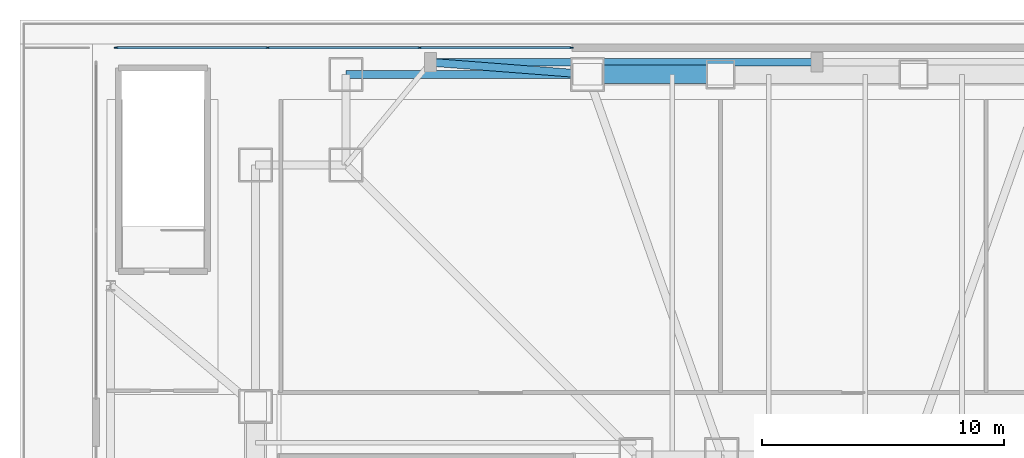
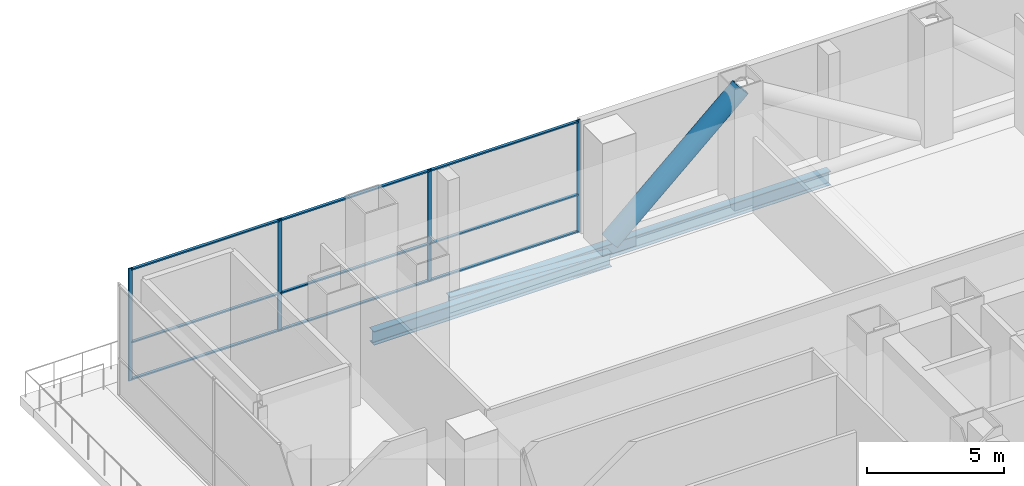
# One storey, part 8 of 21: 14 members, 3 beams, 1 element without a shape of its own.
"""IFC4 building model written with IfcOpenShell, lengths in metres."""

from ifc_helpers import new_model, si_unit, direction, frame, origin, origin_2d, place, context, subcontext, project, spatial, rectangle, hollow_circle, i_section, extrude, material, layer, layer_set, material_profile, profile_set, type_object, element, aggregate, save


model = new_model("IFC4")

# Units and contexts
model_context = context("Model", 3, precision=1e-05, world=origin(), true_north=direction((0.0, 1.0)))
body_context = subcontext(model_context, "Body", "Model", "MODEL_VIEW")
ifc_project = project(units=[si_unit("LENGTHUNIT", "METRE"), si_unit("AREAUNIT", "SQUARE_METRE"), si_unit("VOLUMEUNIT", "CUBIC_METRE"), si_unit("PLANEANGLEUNIT", "RADIAN"), si_unit("MASSUNIT", "GRAM", prefix="KILO")], contexts=[model_context])

# Site, building, storey
site_placement = place(None, origin())
site = spatial("IfcSite", under=ifc_project, at=site_placement, CompositionType="ELEMENT")
building_placement = place(site_placement, origin())
building = spatial("IfcBuilding", under=site, at=building_placement, Name="Trevonay Congress Spire", CompositionType="ELEMENT")
storey_placement = place(building_placement, frame((0.0, 0.0, 21.60009765625)))
storey = spatial("IfcBuildingStorey", under=building, at=storey_placement, Name="L04", CompositionType="ELEMENT", Elevation=21.60009765625)

# Beams
ifc_material_1 = material(Name="Steel ASTM A572 Grade 50", Category="steel")
ifc_material_profile_1 = material_profile(ifc_material_1, i_section(OverallWidth=0.324951171875, OverallDepth=0.615966796875, WebThickness=0.013916015625, FlangeThickness=0.021484375, FilletRadius=0.01806640625, at=origin_2d()), Name="W610x174")
ifc_profile_set_1 = profile_set([ifc_material_profile_1], Name="Steel ASTM A572 Grade 50")
beam_type = type_object("IfcBeamType", Name="BM-GIRD-W610X174", PredefinedType="BEAM", material=ifc_profile_set_1)
beam_1_placement = place(storey_placement, frame((-19.5, 23.25, -0.7080078125), z_axis=(1.0, 0.0, 0.0), x_axis=(0.0, 1.0, 0.0)))
element("IfcBeam", 1, at=beam_1_placement, inside=storey, type_object=beam_type, Name="L04 structural beam BM-L04-MN1", PredefinedType="BEAM", context=body_context, shape_type="SweptSolid", body=[
    extrude(i_section(OverallWidth=0.324951171875, OverallDepth=0.615966796875, WebThickness=0.013916015625, FlangeThickness=0.021484375, FilletRadius=0.01806640625, at=origin_2d()), origin(), (0.0, 0.0, 1.0), 10.0),
])
beam_2_placement = place(storey_placement, frame((-16.0, 23.75, -0.7080078125), z_axis=(1.0, 0.0, 0.0), x_axis=(0.0, 1.0, 0.0)))
element("IfcBeam", 2, at=beam_2_placement, inside=storey, type_object=beam_type, Name="L04 structural beam BM-L04-PIL-N1", PredefinedType="BEAM", context=body_context, shape_type="SweptSolid", body=[
    extrude(i_section(OverallWidth=0.324951171875, OverallDepth=0.615966796875, WebThickness=0.013916015625, FlangeThickness=0.021484375, FilletRadius=0.01806640625, at=origin_2d()), origin(), (0.0, 0.0, 1.0), 16.0),
])
beam_3_placement = place(storey_placement, frame((-9.5, 23.25, -0.7080078125), z_axis=(-0.997054485502, 0.076696498885, 0.0), x_axis=(-0.076696498885, -0.997054485502, 0.0)))
element("IfcBeam", 3, at=beam_3_placement, inside=storey, type_object=beam_type, Name="L04 structural beam BM-L04-PIL-TN1", PredefinedType="BEAM", context=body_context, shape_type="SweptSolid", body=[
    extrude(i_section(OverallWidth=0.324951171875, OverallDepth=0.615966796875, WebThickness=0.013916015625, FlangeThickness=0.021484375, FilletRadius=0.01806640625, at=origin_2d()), origin(), (0.0, 0.0, 1.0), 6.519287109375),
])

# Curtain wall, members
ifc_material_2 = material(Name="Pale Anodised Aluminium EN AW-6063-T6", Category="aluminium")
ifc_layer = layer(ifc_material_2, 0.179931640625, Name="Pale Anodised Aluminium EN AW-6063-T6")
ifc_layer_set = layer_set([ifc_layer], Name="Pale Anodised Aluminium EN AW-6063-T6")
curtain_wall_type = type_object("IfcCurtainWallType", Name="CW-SYS01-PODIUM-PALE-METAL", PredefinedType="NOTDEFINED", material=ifc_layer_set)
curtain_wall_placement = place(storey_placement, origin())
curtain_wall = element("IfcCurtainWall", 4, at=curtain_wall_placement, inside=storey, type_object=curtain_wall_type, Name="L04 N0 podium curtain wall", PredefinedType="NOTDEFINED")
ifc_material_profile_2 = material_profile(ifc_material_2, rectangle(XDim=0.06005859375, YDim=0.159912109375, at=origin_2d()), Name="CW-MULLION-160-ALUMINIUM")
ifc_profile_set_2 = profile_set([ifc_material_profile_2], Name="Pale Anodised Aluminium EN AW-6063-T6")
member_type_1 = type_object("IfcMemberType", Name="CW-MULLION-160-ALUMINIUM", PredefinedType="MULLION", material=ifc_profile_set_2)
member_1_placement = place(storey_placement, frame((-29.02001953125, 24.35009765625, 0.0), z_axis=(0.0, 0.0, 1.0), x_axis=(0.0, 1.0, 0.0)))
member_1 = element("IfcMember", 5, at=member_1_placement, type_object=member_type_1, Name="CW01 mullion 1", PredefinedType="MULLION", context=body_context, shape_type="SweptSolid", body=[
    extrude(rectangle(XDim=0.06005859375, YDim=0.159912109375, at=origin_2d()), origin(), (0.0, 0.0, 1.0), 5.0),
])
member_2_placement = place(storey_placement, frame((-22.75, 24.35009765625, 0.0), z_axis=(0.0, 0.0, 1.0), x_axis=(0.0, 1.0, 0.0)))
member_2 = element("IfcMember", 6, at=member_2_placement, type_object=member_type_1, Name="CW01 mullion 2", PredefinedType="MULLION", context=body_context, shape_type="SweptSolid", body=[
    extrude(rectangle(XDim=0.06005859375, YDim=0.159912109375, at=origin_2d()), origin(), (0.0, 0.0, 1.0), 5.0),
])
member_3_placement = place(storey_placement, frame((-16.449951171875, 24.35009765625, 0.0), z_axis=(0.0, 0.0, 1.0), x_axis=(0.0, 1.0, 0.0)))
member_3 = element("IfcMember", 7, at=member_3_placement, type_object=member_type_1, Name="CW01 mullion 3", PredefinedType="MULLION", context=body_context, shape_type="SweptSolid", body=[
    extrude(rectangle(XDim=0.06005859375, YDim=0.159912109375, at=origin_2d()), origin(), (0.0, 0.0, 1.0), 5.0),
])
member_4_placement = place(storey_placement, frame((-10.179931640625, 24.35009765625, 0.0), z_axis=(0.0, 0.0, 1.0), x_axis=(0.0, 1.0, 0.0)))
member_4 = element("IfcMember", 8, at=member_4_placement, type_object=member_type_1, Name="CW01 mullion 4", PredefinedType="MULLION", context=body_context, shape_type="SweptSolid", body=[
    extrude(rectangle(XDim=0.06005859375, YDim=0.159912109375, at=origin_2d()), origin(), (0.0, 0.0, 1.0), 5.0),
])
ifc_material_profile_3 = material_profile(ifc_material_2, rectangle(XDim=0.1201171875, YDim=0.06005859375, at=origin_2d()), Name="CW-TRANSOM-120-ALUMINIUM")
ifc_profile_set_3 = profile_set([ifc_material_profile_3], Name="Pale Anodised Aluminium EN AW-6063-T6")
member_type_2 = type_object("IfcMemberType", Name="CW-TRANSOM-120-ALUMINIUM", PredefinedType="USERDEFINED", material=ifc_profile_set_3)
member_5_placement = place(storey_placement, frame((-28.989990234375, 24.35009765625, 0.059814453125), z_axis=(1.0, 0.0, 0.0), x_axis=(0.0, 1.0, 0.0)))
member_5 = element("IfcMember", 9, at=member_5_placement, type_object=member_type_2, Name="CW01 transom 1.1", ObjectType="TRANSOM", PredefinedType="USERDEFINED", context=body_context, shape_type="SweptSolid", body=[
    extrude(rectangle(XDim=0.1201171875, YDim=0.06005859375, at=origin_2d()), origin(), (0.0, 0.0, 1.0), 6.2099609375),
])
member_6_placement = place(storey_placement, frame((-28.989990234375, 24.35009765625, 1.699951171875), z_axis=(1.0, 0.0, 0.0), x_axis=(0.0, 1.0, 0.0)))
member_6 = element("IfcMember", 10, at=member_6_placement, type_object=member_type_2, Name="CW01 transom 1.2", ObjectType="TRANSOM", PredefinedType="USERDEFINED", context=body_context, shape_type="SweptSolid", body=[
    extrude(rectangle(XDim=0.1201171875, YDim=0.06005859375, at=origin_2d()), origin(), (0.0, 0.0, 1.0), 6.2099609375),
])
member_7_placement = place(storey_placement, frame((-28.989990234375, 24.35009765625, 4.93994140625), z_axis=(1.0, 0.0, 0.0), x_axis=(0.0, 1.0, 0.0)))
member_7 = element("IfcMember", 11, at=member_7_placement, type_object=member_type_2, Name="CW01 transom 1.3", ObjectType="TRANSOM", PredefinedType="USERDEFINED", context=body_context, shape_type="SweptSolid", body=[
    extrude(rectangle(XDim=0.1201171875, YDim=0.06005859375, at=origin_2d()), origin(), (0.0, 0.0, 1.0), 6.2099609375),
])
member_8_placement = place(storey_placement, frame((-22.719970703125, 24.35009765625, 0.059814453125), z_axis=(1.0, 0.0, 0.0), x_axis=(0.0, 1.0, 0.0)))
member_8 = element("IfcMember", 12, at=member_8_placement, type_object=member_type_2, Name="CW01 transom 2.1", ObjectType="TRANSOM", PredefinedType="USERDEFINED", context=body_context, shape_type="SweptSolid", body=[
    extrude(rectangle(XDim=0.1201171875, YDim=0.06005859375, at=origin_2d()), origin(), (0.0, 0.0, 1.0), 6.239990234375),
])
member_9_placement = place(storey_placement, frame((-22.719970703125, 24.35009765625, 1.699951171875), z_axis=(1.0, 0.0, 0.0), x_axis=(0.0, 1.0, 0.0)))
member_9 = element("IfcMember", 13, at=member_9_placement, type_object=member_type_2, Name="CW01 transom 2.2", ObjectType="TRANSOM", PredefinedType="USERDEFINED", context=body_context, shape_type="SweptSolid", body=[
    extrude(rectangle(XDim=0.1201171875, YDim=0.06005859375, at=origin_2d()), origin(), (0.0, 0.0, 1.0), 6.239990234375),
])
member_10_placement = place(storey_placement, frame((-22.719970703125, 24.35009765625, 4.93994140625), z_axis=(1.0, 0.0, 0.0), x_axis=(0.0, 1.0, 0.0)))
member_10 = element("IfcMember", 14, at=member_10_placement, type_object=member_type_2, Name="CW01 transom 2.3", ObjectType="TRANSOM", PredefinedType="USERDEFINED", context=body_context, shape_type="SweptSolid", body=[
    extrude(rectangle(XDim=0.1201171875, YDim=0.06005859375, at=origin_2d()), origin(), (0.0, 0.0, 1.0), 6.239990234375),
])
member_11_placement = place(storey_placement, frame((-16.419921875, 24.35009765625, 0.059814453125), z_axis=(1.0, 0.0, 0.0), x_axis=(0.0, 1.0, 0.0)))
member_11 = element("IfcMember", 15, at=member_11_placement, type_object=member_type_2, Name="CW01 transom 3.1", ObjectType="TRANSOM", PredefinedType="USERDEFINED", context=body_context, shape_type="SweptSolid", body=[
    extrude(rectangle(XDim=0.1201171875, YDim=0.06005859375, at=origin_2d()), origin(), (0.0, 0.0, 1.0), 6.2099609375),
])
member_12_placement = place(storey_placement, frame((-16.419921875, 24.35009765625, 1.699951171875), z_axis=(1.0, 0.0, 0.0), x_axis=(0.0, 1.0, 0.0)))
member_12 = element("IfcMember", 16, at=member_12_placement, type_object=member_type_2, Name="CW01 transom 3.2", ObjectType="TRANSOM", PredefinedType="USERDEFINED", context=body_context, shape_type="SweptSolid", body=[
    extrude(rectangle(XDim=0.1201171875, YDim=0.06005859375, at=origin_2d()), origin(), (0.0, 0.0, 1.0), 6.2099609375),
])
member_13_placement = place(storey_placement, frame((-16.419921875, 24.35009765625, 4.93994140625), z_axis=(1.0, 0.0, 0.0), x_axis=(0.0, 1.0, 0.0)))
member_13 = element("IfcMember", 17, at=member_13_placement, type_object=member_type_2, Name="CW01 transom 3.3", ObjectType="TRANSOM", PredefinedType="USERDEFINED", context=body_context, shape_type="SweptSolid", body=[
    extrude(rectangle(XDim=0.1201171875, YDim=0.06005859375, at=origin_2d()), origin(), (0.0, 0.0, 1.0), 6.2099609375),
])
aggregate(curtain_wall, [member_1, member_2, member_3, member_4, member_5, member_6, member_7, member_8, member_9, member_10, member_11, member_12, member_13])

# Member
ifc_material_profile_4 = material_profile(ifc_material_1, hollow_circle(Radius=0.381103515625, WallThickness=0.0400390625, at=origin_2d()), Name="CHS 762x40")
ifc_profile_set_4 = profile_set([ifc_material_profile_4], Name="Steel ASTM A572 Grade 50")
member_type_3 = type_object("IfcMemberType", Name="MBR-OUTRIG-CHS762", PredefinedType="BRACE", material=ifc_profile_set_4)
member_14_placement = place(storey_placement, frame((-9.5, 23.25, 0.0498046875), z_axis=(0.746649966155, 0.0, 0.665217128493), x_axis=(0.0, 1.0, 0.0)))
element("IfcMember", 18, at=member_14_placement, inside=storey, type_object=member_type_3, Name="Podium 24m hall transfer truss N diagonal 1", PredefinedType="BRACE", context=body_context, shape_type="SweptSolid", body=[
    extrude(hollow_circle(Radius=0.381103515625, WallThickness=0.0400390625, at=origin_2d()), origin(), (0.0, 0.0, 1.0), 7.3662109375),
])

save(model, "model.ifc")
